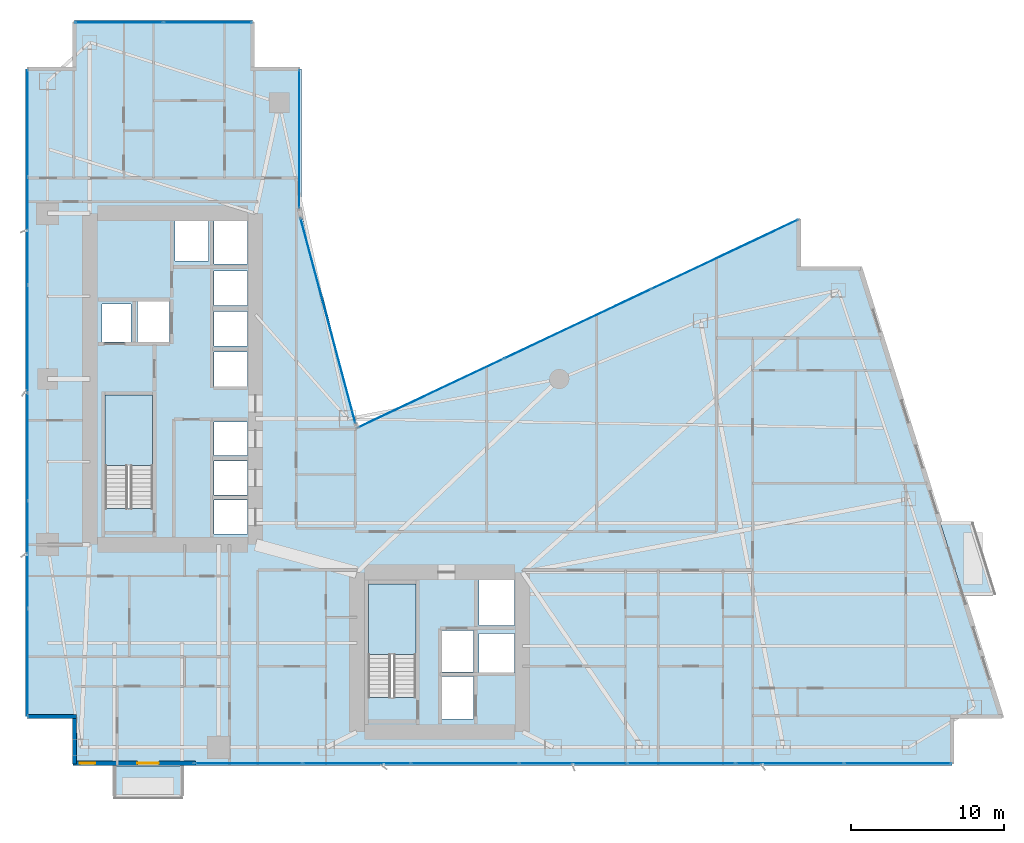
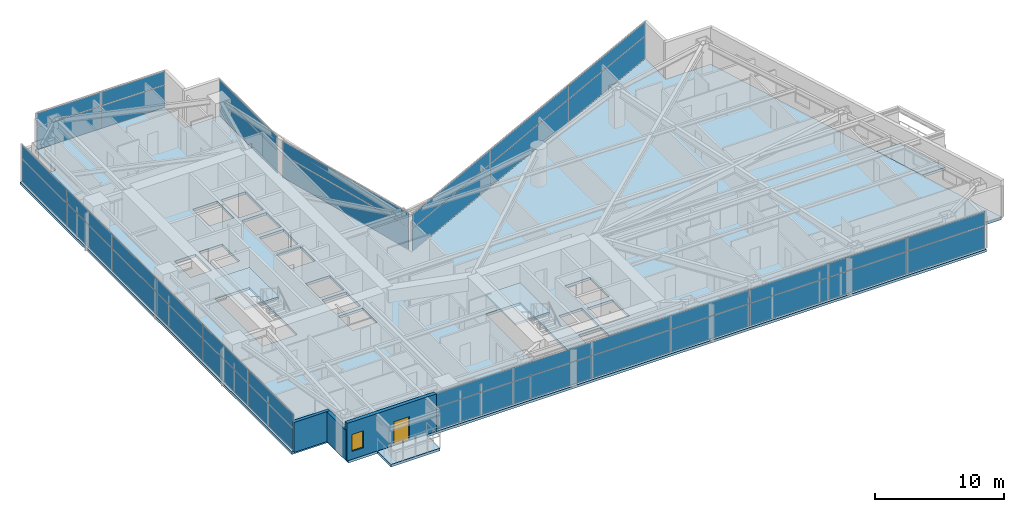
# One storey, part 21 of 29: 40 plates, 5 slabs, 3 walls, 1 door, 1 window, 2 openings, 8 elements without a shape of their own.
"""IFC4 building model written with IfcOpenShell, lengths in metres."""

from ifc_helpers import new_model, si_unit, direction, frame, frame_2d, origin, origin_2d, place, context, subcontext, project, spatial, polyline, rectangle, outline, extrude, material, layer, layer_set, type_object, element, fill, aggregate, save


model = new_model("IFC4")

# Units and contexts
model_context = context("Model", 3, precision=1e-05, world=origin(), true_north=direction((0.0, 1.0)))
body_context = subcontext(model_context, "Body", "Model", "MODEL_VIEW")
ifc_project = project(units=[si_unit("LENGTHUNIT", "METRE"), si_unit("AREAUNIT", "SQUARE_METRE"), si_unit("VOLUMEUNIT", "CUBIC_METRE"), si_unit("PLANEANGLEUNIT", "RADIAN"), si_unit("MASSUNIT", "GRAM", prefix="KILO")], contexts=[model_context])

# Site, building, storey
site_placement = place(None, origin())
site = spatial("IfcSite", under=ifc_project, at=site_placement, CompositionType="ELEMENT")
building_placement = place(site_placement, origin())
building = spatial("IfcBuilding", under=site, at=building_placement, Name="Calvorn Quay Hotel", CompositionType="ELEMENT")
storey_placement = place(building_placement, frame((0.0, 0.0, 34.60009765625)))
storey = spatial("IfcBuildingStorey", under=building, at=storey_placement, Name="L07", CompositionType="ELEMENT", Elevation=34.60009765625)

# Curtain wall, plates
ifc_material_1 = material(Name="Pale Anodised Aluminium and Low-E Glass", Category="aluminium")
ifc_layer_1 = layer(ifc_material_1, 0.219970703125)
ifc_layer_set_1 = layer_set([ifc_layer_1], Name="CW-SYS-Z1")
curtain_wall_type = type_object("IfcCurtainWallType", Name="CW-SYS-Z1", PredefinedType="NOTDEFINED", material=ifc_layer_set_1)
curtain_wall_1_placement = place(storey_placement, origin())
curtain_wall_1 = element("IfcCurtainWall", 1, at=curtain_wall_1_placement, inside=storey, type_object=curtain_wall_type, Name="Tower West Curtain Wall (L07)", PredefinedType="NOTDEFINED")
ifc_material_2 = material(Name="Low-E Laminated Double Glazing", Category="glass")
ifc_layer_2 = layer(ifc_material_2, 0.028076171875)
ifc_layer_set_2 = layer_set([ifc_layer_2], Name="CW-SYS-Z1-PAN")
plate_type = type_object("IfcPlateType", Name="CW-SYS-Z1-PAN", PredefinedType="CURTAIN_PANEL", material=ifc_layer_set_2)
plate_1_placement = place(storey_placement, frame((0.14990234375, 9.131591796875, 0.06005859375), z_axis=(0.0, 0.0, 1.0), x_axis=(0.0, 1.0, 0.0)))
plate_1 = element("IfcPlate", 2, at=plate_1_placement, type_object=plate_type, Name="CW-L07-W panel 1.1", PredefinedType="CURTAIN_PANEL", context=body_context, shape_type="SweptSolid", body=[
    extrude(rectangle(XDim=6.943359375, YDim=0.028076171875, at=origin_2d()), origin(), (0.0, 0.0, 1.0), 2.110107421875),
])
plate_2_placement = place(storey_placement, frame((0.14990234375, 9.131591796875, 2.22998046875), z_axis=(0.0, 0.0, 1.0), x_axis=(0.0, 1.0, 0.0)))
plate_2 = element("IfcPlate", 3, at=plate_2_placement, type_object=plate_type, Name="CW-L07-W panel 1.2", PredefinedType="CURTAIN_PANEL", context=body_context, shape_type="SweptSolid", body=[
    extrude(rectangle(XDim=6.943359375, YDim=0.028076171875, at=origin_2d()), origin(), (0.0, 0.0, 1.0), 1.27001953125),
])
plate_3_placement = place(storey_placement, frame((0.14990234375, 16.14990234375, 0.06005859375), z_axis=(0.0, 0.0, 1.0), x_axis=(0.0, 1.0, 0.0)))
plate_3 = element("IfcPlate", 4, at=plate_3_placement, type_object=plate_type, Name="CW-L07-W panel 2.1", PredefinedType="CURTAIN_PANEL", context=body_context, shape_type="SweptSolid", body=[
    extrude(rectangle(XDim=6.973388671875, YDim=0.028076171875, at=origin_2d()), origin(), (0.0, 0.0, 1.0), 2.110107421875),
])
plate_4_placement = place(storey_placement, frame((0.14990234375, 16.14990234375, 2.22998046875), z_axis=(0.0, 0.0, 1.0), x_axis=(0.0, 1.0, 0.0)))
plate_4 = element("IfcPlate", 5, at=plate_4_placement, type_object=plate_type, Name="CW-L07-W panel 2.2", PredefinedType="CURTAIN_PANEL", context=body_context, shape_type="SweptSolid", body=[
    extrude(rectangle(XDim=6.973388671875, YDim=0.028076171875, at=origin_2d()), origin(), (0.0, 0.0, 1.0), 1.27001953125),
])
plate_5_placement = place(storey_placement, frame((0.14990234375, 23.183349609375, 0.06005859375), z_axis=(0.0, 0.0, 1.0), x_axis=(0.0, 1.0, 0.0)))
plate_5 = element("IfcPlate", 6, at=plate_5_placement, type_object=plate_type, Name="CW-L07-W panel 3.1", PredefinedType="CURTAIN_PANEL", context=body_context, shape_type="SweptSolid", body=[
    extrude(rectangle(XDim=6.973388671875, YDim=0.028076171875, at=origin_2d()), origin(), (0.0, 0.0, 1.0), 2.110107421875),
])
plate_6_placement = place(storey_placement, frame((0.14990234375, 23.183349609375, 2.22998046875), z_axis=(0.0, 0.0, 1.0), x_axis=(0.0, 1.0, 0.0)))
plate_6 = element("IfcPlate", 7, at=plate_6_placement, type_object=plate_type, Name="CW-L07-W panel 3.2", PredefinedType="CURTAIN_PANEL", context=body_context, shape_type="SweptSolid", body=[
    extrude(rectangle(XDim=6.973388671875, YDim=0.028076171875, at=origin_2d()), origin(), (0.0, 0.0, 1.0), 1.27001953125),
])
plate_7_placement = place(storey_placement, frame((0.14990234375, 30.216552734375, 0.06005859375), z_axis=(0.0, 0.0, 1.0), x_axis=(0.0, 1.0, 0.0)))
plate_7 = element("IfcPlate", 8, at=plate_7_placement, type_object=plate_type, Name="CW-L07-W panel 4.1", PredefinedType="CURTAIN_PANEL", context=body_context, shape_type="SweptSolid", body=[
    extrude(rectangle(XDim=6.973388671875, YDim=0.028076171875, at=origin_2d()), origin(), (0.0, 0.0, 1.0), 2.110107421875),
])
plate_8_placement = place(storey_placement, frame((0.14990234375, 30.216552734375, 2.22998046875), z_axis=(0.0, 0.0, 1.0), x_axis=(0.0, 1.0, 0.0)))
plate_8 = element("IfcPlate", 9, at=plate_8_placement, type_object=plate_type, Name="CW-L07-W panel 4.2", PredefinedType="CURTAIN_PANEL", context=body_context, shape_type="SweptSolid", body=[
    extrude(rectangle(XDim=6.973388671875, YDim=0.028076171875, at=origin_2d()), origin(), (0.0, 0.0, 1.0), 1.27001953125),
])
plate_9_placement = place(storey_placement, frame((0.14990234375, 37.25, 0.06005859375), z_axis=(0.0, 0.0, 1.0), x_axis=(0.0, 1.0, 0.0)))
plate_9 = element("IfcPlate", 10, at=plate_9_placement, type_object=plate_type, Name="CW-L07-W panel 5.1", PredefinedType="CURTAIN_PANEL", context=body_context, shape_type="SweptSolid", body=[
    extrude(rectangle(XDim=6.973388671875, YDim=0.028076171875, at=origin_2d()), origin(), (0.0, 0.0, 1.0), 2.110107421875),
])
plate_10_placement = place(storey_placement, frame((0.14990234375, 37.25, 2.22998046875), z_axis=(0.0, 0.0, 1.0), x_axis=(0.0, 1.0, 0.0)))
plate_10 = element("IfcPlate", 11, at=plate_10_placement, type_object=plate_type, Name="CW-L07-W panel 5.2", PredefinedType="CURTAIN_PANEL", context=body_context, shape_type="SweptSolid", body=[
    extrude(rectangle(XDim=6.973388671875, YDim=0.028076171875, at=origin_2d()), origin(), (0.0, 0.0, 1.0), 1.27001953125),
])
plate_11_placement = place(storey_placement, frame((0.14990234375, 44.268310546875, 0.06005859375), z_axis=(0.0, 0.0, 1.0), x_axis=(0.0, 1.0, 0.0)))
plate_11 = element("IfcPlate", 12, at=plate_11_placement, type_object=plate_type, Name="CW-L07-W panel 6.1", PredefinedType="CURTAIN_PANEL", context=body_context, shape_type="SweptSolid", body=[
    extrude(rectangle(XDim=6.943359375, YDim=0.028076171875, at=origin_2d()), origin(), (0.0, 0.0, 1.0), 2.110107421875),
])
plate_12_placement = place(storey_placement, frame((0.14990234375, 44.268310546875, 2.22998046875), z_axis=(0.0, 0.0, 1.0), x_axis=(0.0, 1.0, 0.0)))
plate_12 = element("IfcPlate", 13, at=plate_12_placement, type_object=plate_type, Name="CW-L07-W panel 6.2", PredefinedType="CURTAIN_PANEL", context=body_context, shape_type="SweptSolid", body=[
    extrude(rectangle(XDim=6.943359375, YDim=0.028076171875, at=origin_2d()), origin(), (0.0, 0.0, 1.0), 1.27001953125),
])
aggregate(curtain_wall_1, [plate_1, plate_2, plate_3, plate_4, plate_5, plate_6, plate_7, plate_8, plate_9, plate_10, plate_11, plate_12])

curtain_wall_2_placement = place(storey_placement, origin())
curtain_wall_2 = element("IfcCurtainWall", 14, at=curtain_wall_2_placement, inside=storey, type_object=curtain_wall_type, Name="Tower South Waterfront Curtain Wall (L07)", PredefinedType="NOTDEFINED")
plate_13_placement = place(storey_placement, frame((14.54345703125, 2.550048828125, 0.06005859375), z_axis=(0.0, 0.0, 1.0), x_axis=(1.0, 0.0, 0.0)))
plate_13 = element("IfcPlate", 15, at=plate_13_placement, type_object=plate_type, Name="CW-L07-S panel 1.1", PredefinedType="CURTAIN_PANEL", context=body_context, shape_type="SweptSolid", body=[
    extrude(rectangle(XDim=6.967041015625, YDim=0.028076171875, at=origin_2d()), origin(), (0.0, 0.0, 1.0), 2.110107421875),
])
plate_14_placement = place(storey_placement, frame((14.54345703125, 2.550048828125, 2.22998046875), z_axis=(0.0, 0.0, 1.0), x_axis=(1.0, 0.0, 0.0)))
plate_14 = element("IfcPlate", 16, at=plate_14_placement, type_object=plate_type, Name="CW-L07-S panel 1.2", PredefinedType="CURTAIN_PANEL", context=body_context, shape_type="SweptSolid", body=[
    extrude(rectangle(XDim=6.967041015625, YDim=0.028076171875, at=origin_2d()), origin(), (0.0, 0.0, 1.0), 1.27001953125),
])
plate_15_placement = place(storey_placement, frame((21.585693359375, 2.550048828125, 0.06005859375), z_axis=(0.0, 0.0, 1.0), x_axis=(1.0, 0.0, 0.0)))
plate_15 = element("IfcPlate", 17, at=plate_15_placement, type_object=plate_type, Name="CW-L07-S panel 2.1", PredefinedType="CURTAIN_PANEL", context=body_context, shape_type="SweptSolid", body=[
    extrude(rectangle(XDim=6.9970703125, YDim=0.028076171875, at=origin_2d()), origin(), (0.0, 0.0, 1.0), 2.110107421875),
])
plate_16_placement = place(storey_placement, frame((21.585693359375, 2.550048828125, 2.22998046875), z_axis=(0.0, 0.0, 1.0), x_axis=(1.0, 0.0, 0.0)))
plate_16 = element("IfcPlate", 18, at=plate_16_placement, type_object=plate_type, Name="CW-L07-S panel 2.2", PredefinedType="CURTAIN_PANEL", context=body_context, shape_type="SweptSolid", body=[
    extrude(rectangle(XDim=6.9970703125, YDim=0.028076171875, at=origin_2d()), origin(), (0.0, 0.0, 1.0), 1.27001953125),
])
plate_17_placement = place(storey_placement, frame((28.642822265625, 2.550048828125, 0.06005859375), z_axis=(0.0, 0.0, 1.0), x_axis=(1.0, 0.0, 0.0)))
plate_17 = element("IfcPlate", 19, at=plate_17_placement, type_object=plate_type, Name="CW-L07-S panel 3.1", PredefinedType="CURTAIN_PANEL", context=body_context, shape_type="SweptSolid", body=[
    extrude(rectangle(XDim=6.9970703125, YDim=0.028076171875, at=origin_2d()), origin(), (0.0, 0.0, 1.0), 2.110107421875),
])
plate_18_placement = place(storey_placement, frame((28.642822265625, 2.550048828125, 2.22998046875), z_axis=(0.0, 0.0, 1.0), x_axis=(1.0, 0.0, 0.0)))
plate_18 = element("IfcPlate", 20, at=plate_18_placement, type_object=plate_type, Name="CW-L07-S panel 3.2", PredefinedType="CURTAIN_PANEL", context=body_context, shape_type="SweptSolid", body=[
    extrude(rectangle(XDim=6.9970703125, YDim=0.028076171875, at=origin_2d()), origin(), (0.0, 0.0, 1.0), 1.27001953125),
])
plate_19_placement = place(storey_placement, frame((35.699951171875, 2.550048828125, 0.06005859375), z_axis=(0.0, 0.0, 1.0), x_axis=(1.0, 0.0, 0.0)))
plate_19 = element("IfcPlate", 21, at=plate_19_placement, type_object=plate_type, Name="CW-L07-S panel 4.1", PredefinedType="CURTAIN_PANEL", context=body_context, shape_type="SweptSolid", body=[
    extrude(rectangle(XDim=6.9970703125, YDim=0.028076171875, at=origin_2d()), origin(), (0.0, 0.0, 1.0), 2.110107421875),
])
plate_20_placement = place(storey_placement, frame((35.699951171875, 2.550048828125, 2.22998046875), z_axis=(0.0, 0.0, 1.0), x_axis=(1.0, 0.0, 0.0)))
plate_20 = element("IfcPlate", 22, at=plate_20_placement, type_object=plate_type, Name="CW-L07-S panel 4.2", PredefinedType="CURTAIN_PANEL", context=body_context, shape_type="SweptSolid", body=[
    extrude(rectangle(XDim=6.9970703125, YDim=0.028076171875, at=origin_2d()), origin(), (0.0, 0.0, 1.0), 1.27001953125),
])
plate_21_placement = place(storey_placement, frame((42.757080078125, 2.550048828125, 0.06005859375), z_axis=(0.0, 0.0, 1.0), x_axis=(1.0, 0.0, 0.0)))
plate_21 = element("IfcPlate", 23, at=plate_21_placement, type_object=plate_type, Name="CW-L07-S panel 5.1", PredefinedType="CURTAIN_PANEL", context=body_context, shape_type="SweptSolid", body=[
    extrude(rectangle(XDim=6.9970703125, YDim=0.028076171875, at=origin_2d()), origin(), (0.0, 0.0, 1.0), 2.110107421875),
])
plate_22_placement = place(storey_placement, frame((42.757080078125, 2.550048828125, 2.22998046875), z_axis=(0.0, 0.0, 1.0), x_axis=(1.0, 0.0, 0.0)))
plate_22 = element("IfcPlate", 24, at=plate_22_placement, type_object=plate_type, Name="CW-L07-S panel 5.2", PredefinedType="CURTAIN_PANEL", context=body_context, shape_type="SweptSolid", body=[
    extrude(rectangle(XDim=6.9970703125, YDim=0.028076171875, at=origin_2d()), origin(), (0.0, 0.0, 1.0), 1.27001953125),
])
plate_23_placement = place(storey_placement, frame((49.814208984375, 2.550048828125, 0.06005859375), z_axis=(0.0, 0.0, 1.0), x_axis=(1.0, 0.0, 0.0)))
plate_23 = element("IfcPlate", 25, at=plate_23_placement, type_object=plate_type, Name="CW-L07-S panel 6.1", PredefinedType="CURTAIN_PANEL", context=body_context, shape_type="SweptSolid", body=[
    extrude(rectangle(XDim=6.9970703125, YDim=0.028076171875, at=origin_2d()), origin(), (0.0, 0.0, 1.0), 2.110107421875),
])
plate_24_placement = place(storey_placement, frame((49.814208984375, 2.550048828125, 2.22998046875), z_axis=(0.0, 0.0, 1.0), x_axis=(1.0, 0.0, 0.0)))
plate_24 = element("IfcPlate", 26, at=plate_24_placement, type_object=plate_type, Name="CW-L07-S panel 6.2", PredefinedType="CURTAIN_PANEL", context=body_context, shape_type="SweptSolid", body=[
    extrude(rectangle(XDim=6.9970703125, YDim=0.028076171875, at=origin_2d()), origin(), (0.0, 0.0, 1.0), 1.27001953125),
])
plate_25_placement = place(storey_placement, frame((56.8564453125, 2.550048828125, 0.06005859375), z_axis=(0.0, 0.0, 1.0), x_axis=(1.0, 0.0, 0.0)))
plate_25 = element("IfcPlate", 27, at=plate_25_placement, type_object=plate_type, Name="CW-L07-S panel 7.1", PredefinedType="CURTAIN_PANEL", context=body_context, shape_type="SweptSolid", body=[
    extrude(rectangle(XDim=6.967041015625, YDim=0.028076171875, at=origin_2d()), origin(), (0.0, 0.0, 1.0), 2.110107421875),
])
plate_26_placement = place(storey_placement, frame((56.8564453125, 2.550048828125, 2.22998046875), z_axis=(0.0, 0.0, 1.0), x_axis=(1.0, 0.0, 0.0)))
plate_26 = element("IfcPlate", 28, at=plate_26_placement, type_object=plate_type, Name="CW-L07-S panel 7.2", PredefinedType="CURTAIN_PANEL", context=body_context, shape_type="SweptSolid", body=[
    extrude(rectangle(XDim=6.967041015625, YDim=0.028076171875, at=origin_2d()), origin(), (0.0, 0.0, 1.0), 1.27001953125),
])
aggregate(curtain_wall_2, [plate_13, plate_14, plate_15, plate_16, plate_17, plate_18, plate_19, plate_20, plate_21, plate_22, plate_23, plate_24, plate_25, plate_26])

curtain_wall_3_placement = place(storey_placement, origin())
curtain_wall_3 = element("IfcCurtainWall", 29, at=curtain_wall_3_placement, inside=storey, type_object=curtain_wall_type, Name="Inner Court Curtain Wall L07-NE1", PredefinedType="NOTDEFINED")
plate_27_placement = place(storey_placement, frame((45.58642578125, 35.726806640625, 0.06005859375), z_axis=(0.0, 0.0, 1.0), x_axis=(-0.904248646743, -0.427006305415, 0.0)))
plate_27 = element("IfcPlate", 30, at=plate_27_placement, type_object=plate_type, Name="CW-L07-NE1 panel 1.1", PredefinedType="CURTAIN_PANEL", context=body_context, shape_type="SweptSolid", body=[
    extrude(rectangle(XDim=10.526611328125, YDim=0.028076171875, at=origin_2d()), origin(), (0.0, 0.0, 1.0), 2.110107421875),
])
plate_28_placement = place(storey_placement, frame((45.58642578125, 35.726806640625, 2.22998046875), z_axis=(0.0, 0.0, 1.0), x_axis=(-0.904248646743, -0.427006305415, 0.0)))
plate_28 = element("IfcPlate", 31, at=plate_28_placement, type_object=plate_type, Name="CW-L07-NE1 panel 1.2", PredefinedType="CURTAIN_PANEL", context=body_context, shape_type="SweptSolid", body=[
    extrude(rectangle(XDim=10.526611328125, YDim=0.028076171875, at=origin_2d()), origin(), (0.0, 0.0, 1.0), 1.27001953125),
])
plate_29_placement = place(storey_placement, frame((36.0, 31.199951171875, 0.06005859375), z_axis=(0.0, 0.0, 1.0), x_axis=(-0.904248646743, -0.427006305415, 0.0)))
plate_29 = element("IfcPlate", 32, at=plate_29_placement, type_object=plate_type, Name="CW-L07-NE1 panel 2.1", PredefinedType="CURTAIN_PANEL", context=body_context, shape_type="SweptSolid", body=[
    extrude(rectangle(XDim=10.556640625, YDim=0.028076171875, at=origin_2d()), origin(), (0.0, 0.0, 1.0), 2.110107421875),
])
plate_30_placement = place(storey_placement, frame((36.0, 31.199951171875, 2.22998046875), z_axis=(0.0, 0.0, 1.0), x_axis=(-0.904248646743, -0.427006305415, 0.0)))
plate_30 = element("IfcPlate", 33, at=plate_30_placement, type_object=plate_type, Name="CW-L07-NE1 panel 2.2", PredefinedType="CURTAIN_PANEL", context=body_context, shape_type="SweptSolid", body=[
    extrude(rectangle(XDim=10.556640625, YDim=0.028076171875, at=origin_2d()), origin(), (0.0, 0.0, 1.0), 1.27001953125),
])
plate_31_placement = place(storey_placement, frame((26.41357421875, 26.673095703125, 0.06005859375), z_axis=(0.0, 0.0, 1.0), x_axis=(-0.904248646743, -0.427006305415, 0.0)))
plate_31 = element("IfcPlate", 34, at=plate_31_placement, type_object=plate_type, Name="CW-L07-NE1 panel 3.1", PredefinedType="CURTAIN_PANEL", context=body_context, shape_type="SweptSolid", body=[
    extrude(rectangle(XDim=10.526611328125, YDim=0.028076171875, at=origin_2d()), origin(), (0.0, 0.0, 1.0), 2.110107421875),
])
plate_32_placement = place(storey_placement, frame((26.41357421875, 26.673095703125, 2.22998046875), z_axis=(0.0, 0.0, 1.0), x_axis=(-0.904248646743, -0.427006305415, 0.0)))
plate_32 = element("IfcPlate", 35, at=plate_32_placement, type_object=plate_type, Name="CW-L07-NE1 panel 3.2", PredefinedType="CURTAIN_PANEL", context=body_context, shape_type="SweptSolid", body=[
    extrude(rectangle(XDim=10.526611328125, YDim=0.028076171875, at=origin_2d()), origin(), (0.0, 0.0, 1.0), 1.27001953125),
])
aggregate(curtain_wall_3, [plate_27, plate_28, plate_29, plate_30, plate_31, plate_32])

curtain_wall_4_placement = place(storey_placement, origin())
curtain_wall_4 = element("IfcCurtainWall", 36, at=curtain_wall_4_placement, inside=storey, type_object=curtain_wall_type, Name="Inner Court Curtain Wall L07-IC1", PredefinedType="NOTDEFINED")
plate_33_placement = place(storey_placement, frame((19.72509765625, 31.39990234375, 0.06005859375), z_axis=(0.0, 0.0, 1.0), x_axis=(-0.25877913024, 0.96593652056, 0.0)))
plate_33 = element("IfcPlate", 37, at=plate_33_placement, type_object=plate_type, Name="CW-L07-IC1 panel 1.1", PredefinedType="CURTAIN_PANEL", context=body_context, shape_type="SweptSolid", body=[
    extrude(rectangle(XDim=13.814697265625, YDim=0.028076171875, at=origin_2d()), origin(), (0.0, 0.0, 1.0), 2.110107421875),
])
plate_34_placement = place(storey_placement, frame((19.72509765625, 31.39990234375, 2.22998046875), z_axis=(0.0, 0.0, 1.0), x_axis=(-0.25877913024, 0.96593652056, 0.0)))
plate_34 = element("IfcPlate", 38, at=plate_34_placement, type_object=plate_type, Name="CW-L07-IC1 panel 1.2", PredefinedType="CURTAIN_PANEL", context=body_context, shape_type="SweptSolid", body=[
    extrude(rectangle(XDim=13.814697265625, YDim=0.028076171875, at=origin_2d()), origin(), (0.0, 0.0, 1.0), 1.27001953125),
])
aggregate(curtain_wall_4, [plate_33, plate_34])

curtain_wall_5_placement = place(storey_placement, origin())
curtain_wall_5 = element("IfcCurtainWall", 39, at=curtain_wall_5_placement, inside=storey, type_object=curtain_wall_type, Name="Inner Court Curtain Wall L07-IC2", PredefinedType="NOTDEFINED")
plate_35_placement = place(storey_placement, frame((17.85009765625, 43.239990234375, 0.06005859375), z_axis=(0.0, 0.0, 1.0), x_axis=(0.0, 1.0, 0.0)))
plate_35 = element("IfcPlate", 40, at=plate_35_placement, type_object=plate_type, Name="CW-L07-IC2 panel 1.1", PredefinedType="CURTAIN_PANEL", context=body_context, shape_type="SweptSolid", body=[
    extrude(rectangle(XDim=9.0, YDim=0.028076171875, at=origin_2d()), origin(), (0.0, 0.0, 1.0), 2.110107421875),
])
plate_36_placement = place(storey_placement, frame((17.85009765625, 43.239990234375, 2.22998046875), z_axis=(0.0, 0.0, 1.0), x_axis=(0.0, 1.0, 0.0)))
plate_36 = element("IfcPlate", 41, at=plate_36_placement, type_object=plate_type, Name="CW-L07-IC2 panel 1.2", PredefinedType="CURTAIN_PANEL", context=body_context, shape_type="SweptSolid", body=[
    extrude(rectangle(XDim=9.0, YDim=0.028076171875, at=origin_2d()), origin(), (0.0, 0.0, 1.0), 1.27001953125),
])
aggregate(curtain_wall_5, [plate_35, plate_36])

curtain_wall_6_placement = place(storey_placement, origin())
curtain_wall_6 = element("IfcCurtainWall", 42, at=curtain_wall_6_placement, inside=storey, type_object=curtain_wall_type, Name="Inner Court Curtain Wall L07-N1", PredefinedType="NOTDEFINED")
plate_37_placement = place(storey_placement, frame((11.885009765625, 50.85009765625, 0.06005859375), z_axis=(0.0, 0.0, 1.0), x_axis=(-1.0, 0.0, 0.0)))
plate_37 = element("IfcPlate", 43, at=plate_37_placement, type_object=plate_type, Name="CW-L07-N1 panel 1.1", PredefinedType="CURTAIN_PANEL", context=body_context, shape_type="SweptSolid", body=[
    extrude(rectangle(XDim=5.7099609375, YDim=0.028076171875, at=origin_2d()), origin(), (0.0, 0.0, 1.0), 2.110107421875),
])
plate_38_placement = place(storey_placement, frame((11.885009765625, 50.85009765625, 2.22998046875), z_axis=(0.0, 0.0, 1.0), x_axis=(-1.0, 0.0, 0.0)))
plate_38 = element("IfcPlate", 44, at=plate_38_placement, type_object=plate_type, Name="CW-L07-N1 panel 1.2", PredefinedType="CURTAIN_PANEL", context=body_context, shape_type="SweptSolid", body=[
    extrude(rectangle(XDim=5.7099609375, YDim=0.028076171875, at=origin_2d()), origin(), (0.0, 0.0, 1.0), 1.27001953125),
])
plate_39_placement = place(storey_placement, frame((6.114990234375, 50.85009765625, 0.06005859375), z_axis=(0.0, 0.0, 1.0), x_axis=(-1.0, 0.0, 0.0)))
plate_39 = element("IfcPlate", 45, at=plate_39_placement, type_object=plate_type, Name="CW-L07-N1 panel 2.1", PredefinedType="CURTAIN_PANEL", context=body_context, shape_type="SweptSolid", body=[
    extrude(rectangle(XDim=5.7099609375, YDim=0.028076171875, at=origin_2d()), origin(), (0.0, 0.0, 1.0), 2.110107421875),
])
plate_40_placement = place(storey_placement, frame((6.114990234375, 50.85009765625, 2.22998046875), z_axis=(0.0, 0.0, 1.0), x_axis=(-1.0, 0.0, 0.0)))
plate_40 = element("IfcPlate", 46, at=plate_40_placement, type_object=plate_type, Name="CW-L07-N1 panel 2.2", PredefinedType="CURTAIN_PANEL", context=body_context, shape_type="SweptSolid", body=[
    extrude(rectangle(XDim=5.7099609375, YDim=0.028076171875, at=origin_2d()), origin(), (0.0, 0.0, 1.0), 1.27001953125),
])
aggregate(curtain_wall_6, [plate_37, plate_38, plate_39, plate_40])

# Slabs
ifc_material_3 = material(Name="Concrete C40", Category="concrete")
ifc_layer_3 = layer(ifc_material_3, 0.239990234375)
ifc_layer_set_3 = layer_set([ifc_layer_3], Name="SLB-BALCONY-220")
slab_type_1 = type_object("IfcSlabType", Name="SLB-BALCONY-220", PredefinedType="FLOOR", material=ifc_layer_set_3)
slab_1_placement = place(storey_placement, frame((0.0, 0.0, -0.239990234375)))
element("IfcSlab", 47, at=slab_1_placement, inside=storey, type_object=slab_type_1, Name="Tree Balcony Slab L07-BALC-E", PredefinedType="FLOOR", context=body_context, shape_type="SweptSolid", body=[
    extrude(outline(polyline([(61.089111328125, 13.60009765625), (63.18896484375, 13.60009765625), (61.739990234375, 18.199951171875), (59.639892578125, 18.199951171875), (61.089111328125, 13.60009765625)])), origin(), (0.0, 0.0, 1.0), 0.239990234375),
])
slab_2_placement = place(storey_placement, frame((0.0, 0.0, -0.239990234375)))
element("IfcSlab", 48, at=slab_2_placement, inside=storey, type_object=slab_type_1, Name="Tree Balcony Slab L07-BALC-S", PredefinedType="FLOOR", context=body_context, shape_type="SweptSolid", body=[
    extrude(outline(polyline([(5.800048828125, 0.2900390625), (10.199951171875, 0.2900390625), (10.199951171875, 2.389892578125), (5.800048828125, 2.389892578125), (5.800048828125, 0.2900390625)])), origin(), (0.0, 0.0, 1.0), 0.239990234375),
])

# Stair, slab
ifc_material_4 = material(Name="Concrete C40", Category="concrete")
stair_type = type_object("IfcStairType", Name="STR-CORE-DOGLEG", PredefinedType="HALF_TURN_STAIR", material=ifc_material_4)
stair_1_placement = place(storey_placement, origin())
stair_1 = element("IfcStair", 49, at=stair_1_placement, inside=storey, type_object=stair_type, Name="L07 ST-W", PredefinedType="HALF_TURN_STAIR")
ifc_material_5 = material(Name="Concrete C40", Category="concrete")
ifc_layer_4 = layer(ifc_material_5, 0.199951171875)
ifc_layer_set_4 = layer_set([ifc_layer_4], Name="SLB-STAIR-LANDING-200")
slab_type_2 = type_object("IfcSlabType", Name="SLB-STAIR-LANDING-200", PredefinedType="LANDING", material=ifc_layer_set_4)
slab_3_placement = place(storey_placement, frame((0.0, 0.0, 1.699951171875)))
slab_3 = element("IfcSlab", 50, at=slab_3_placement, type_object=slab_type_2, Name="ST-W landing 1", PredefinedType="LANDING", context=body_context, shape_type="SweptSolid", body=[
    extrude(outline(polyline([(8.300048828125, 21.949951171875), (8.300048828125, 26.550048828125), (5.199951171875, 26.550048828125), (5.199951171875, 21.949951171875), (8.300048828125, 21.949951171875)])), origin(), (0.0, 0.0, 1.0), 0.199951171875),
])
aggregate(stair_1, [slab_3])

stair_2_placement = place(storey_placement, origin())
stair_2 = element("IfcStair", 51, at=stair_2_placement, inside=storey, type_object=stair_type, Name="L07 ST-E", PredefinedType="HALF_TURN_STAIR")
slab_4_placement = place(storey_placement, frame((0.0, 0.0, 1.699951171875)))
slab_4 = element("IfcSlab", 52, at=slab_4_placement, type_object=slab_type_2, Name="ST-E landing 1", PredefinedType="LANDING", context=body_context, shape_type="SweptSolid", body=[
    extrude(outline(polyline([(25.449951171875, 9.64990234375), (25.449951171875, 14.25), (22.35009765625, 14.25), (22.35009765625, 9.64990234375), (25.449951171875, 9.64990234375)])), origin(), (0.0, 0.0, 1.0), 0.199951171875),
])
aggregate(stair_2, [slab_4])

# Slab
ifc_material_6 = material(Name="Concrete C40", Category="concrete")
ifc_layer_5 = layer(ifc_material_6, 0.239990234375)
ifc_layer_set_5 = layer_set([ifc_layer_5], Name="SLB-TOWER-240")
slab_type_3 = type_object("IfcSlabType", Name="SLB-TOWER-240", PredefinedType="FLOOR", material=ifc_layer_set_5)
slab_5_placement = place(storey_placement, frame((0.0, 0.0, -0.239990234375)))
element("IfcSlab", 53, at=slab_5_placement, inside=storey, type_object=slab_type_3, Name="L07 Structural Floor Slab", PredefinedType="FLOOR", context=body_context, shape_type="SweptSolid", body=[
    extrude(outline(polyline([(0.0, 5.60009765625), (3.199951171875, 5.60009765625), (3.199951171875, 2.39990234375), (60.39990234375, 2.39990234375), (60.39990234375, 5.60009765625), (63.60009765625, 5.60009765625), (54.39990234375, 34.800048828125), (50.39990234375, 34.800048828125), (50.39990234375, 38.0), (21.60009765625, 24.39990234375), (18.0, 38.39990234375), (18.0, 47.800048828125), (14.800048828125, 47.800048828125), (14.800048828125, 51.0), (3.199951171875, 51.0), (3.199951171875, 47.800048828125), (0.0, 47.800048828125), (0.0, 5.60009765625)]), holes=[polyline([(5.199951171875, 19.156005859375), (8.300048828125, 19.156005859375), (8.300048828125, 26.550048828125), (5.199951171875, 26.550048828125), (5.199951171875, 19.156005859375)]), polyline([(22.35009765625, 6.85595703125), (25.449951171875, 6.85595703125), (25.449951171875, 14.25), (22.35009765625, 14.25), (22.35009765625, 6.85595703125)]), polyline([(5.0, 30.0), (6.89990234375, 30.0), (6.89990234375, 32.5), (5.0, 32.5), (5.0, 30.0)]), polyline([(7.300048828125, 30.0), (9.39990234375, 30.0), (9.39990234375, 32.64990234375), (7.300048828125, 32.64990234375), (7.300048828125, 30.0)]), polyline([(27.159912109375, 8.5), (29.2099609375, 8.5), (29.2099609375, 11.199951171875), (27.159912109375, 11.199951171875), (27.159912109375, 8.5)]), polyline([(27.159912109375, 5.449951171875), (29.2099609375, 5.449951171875), (29.2099609375, 8.199951171875), (27.159912109375, 8.199951171875), (27.159912109375, 5.449951171875)]), polyline([(12.300048828125, 17.5), (14.489990234375, 17.5), (14.489990234375, 19.699951171875), (12.300048828125, 19.699951171875), (12.300048828125, 17.5)]), polyline([(12.300048828125, 20.050048828125), (14.489990234375, 20.050048828125), (14.489990234375, 22.25), (12.300048828125, 22.25), (12.300048828125, 20.050048828125)]), polyline([(12.300048828125, 22.60009765625), (14.489990234375, 22.60009765625), (14.489990234375, 24.800048828125), (12.300048828125, 24.800048828125), (12.300048828125, 22.60009765625)]), polyline([(12.300048828125, 27.10009765625), (14.489990234375, 27.10009765625), (14.489990234375, 29.35009765625), (12.300048828125, 29.35009765625), (12.300048828125, 27.10009765625)]), polyline([(12.300048828125, 29.75), (14.489990234375, 29.75), (14.489990234375, 32.0), (12.300048828125, 32.0), (12.300048828125, 29.75)]), polyline([(12.300048828125, 32.39990234375), (14.489990234375, 32.39990234375), (14.489990234375, 34.64990234375), (12.300048828125, 34.64990234375), (12.300048828125, 32.39990234375)]), polyline([(12.300048828125, 35.10009765625), (14.489990234375, 35.10009765625), (14.489990234375, 37.889892578125), (12.300048828125, 37.889892578125), (12.300048828125, 35.10009765625)]), polyline([(9.75, 35.300048828125), (11.949951171875, 35.300048828125), (11.949951171875, 37.889892578125), (9.75, 37.889892578125), (9.75, 35.300048828125)]), polyline([(29.550048828125, 11.550048828125), (31.889892578125, 11.550048828125), (31.889892578125, 14.489990234375), (29.550048828125, 14.489990234375), (29.550048828125, 11.550048828125)]), polyline([(29.550048828125, 8.449951171875), (31.889892578125, 8.449951171875), (31.889892578125, 11.0), (29.550048828125, 11.0), (29.550048828125, 8.449951171875)])]), origin(), (0.0, 0.0, 1.0), 0.239990234375),
])

# Wall, openings, door, window
ifc_material_7 = material(Name="Concrete C40", Category="concrete")
ifc_layer_6 = layer(ifc_material_7, 0.320068359375)
ifc_layer_set_6 = layer_set([ifc_layer_6], Name="WL-EXT-SPANDREL-320")
wall_type = type_object("IfcWallType", Name="WL-EXT-SPANDREL-320", PredefinedType="SOLIDWALL", material=ifc_layer_set_6)
wall_1_placement = place(storey_placement, frame((3.10009765625, 2.56005859375, 0.0), z_axis=(0.0, 0.0, 1.0), x_axis=(1.0, 0.0, 0.0)))
wall_1 = element("IfcWall", 54, at=wall_1_placement, inside=storey, type_object=wall_type, Name="South Balcony Exterior Wall (L07)", PredefinedType="SOLIDWALL", context=body_context, shape_type="SweptSolid", body=[
    extrude(rectangle(XDim=8.0, YDim=0.320068359375, at=frame_2d((4.0, 0.0))), origin(), (0.0, 0.0, 1.0), 3.559814453125),
])
opening_1_placement = place(wall_1_placement, frame((0.449951171875, 0.0, 0.75)))
opening_1 = element("IfcOpeningElement", 55, at=opening_1_placement, cuts=wall_1, Name="Opening WSB-L07-1", PredefinedType="OPENING", context=body_context, shape_type="SweptSolid", body=[
    extrude(rectangle(XDim=1.0, YDim=1.60009765625, at=frame_2d((0.5, 0.800048828125))), frame((0.0, 0.169921875, 0.0), z_axis=(0.0, -1.0, 0.0), x_axis=(1.0, 0.0, 0.0)), (0.0, 0.0, 1.0), 0.340087890625),
])
opening_2_placement = place(wall_1_placement, frame((4.199951171875, 0.0, 0.0)))
opening_2 = element("IfcOpeningElement", 56, at=opening_2_placement, cuts=wall_1, Name="Opening DB-L07-2", PredefinedType="OPENING", context=body_context, shape_type="SweptSolid", body=[
    extrude(rectangle(XDim=1.39990234375, YDim=2.25, at=frame_2d((0.699951171875, 1.125))), frame((0.0, 0.169921875, 0.0), z_axis=(0.0, -1.0, 0.0), x_axis=(1.0, 0.0, 0.0)), (0.0, 0.0, 1.0), 0.340087890625),
])
ifc_material_8 = material(Name="Typhoon-Rated Low-E Aluminium Terrace Door", Category="aluminium")
door_type = type_object("IfcDoorType", Name="DR-BALCONY-GLZ-1400", OperationType="NOTDEFINED", PredefinedType="DOOR", material=ifc_material_8)
door_placement = place(opening_2_placement, origin())
door = element("IfcDoor", 57, at=door_placement, inside=storey, type_object=door_type, Name="Tree Balcony Terrace Door L07-BALC-S", OperationType="SINGLE_SWING_LEFT", OverallHeight=2.25, OverallWidth=1.39990234375, PredefinedType="DOOR", context=body_context, shape_type="SweptSolid", body=[
    extrude(rectangle(XDim=1.39990234375, YDim=2.25, at=frame_2d((0.699951171875, 1.125))), frame((0.0, 0.02490234375, 0.0), z_axis=(0.0, -1.0, 0.0), x_axis=(1.0, 0.0, 0.0)), (0.0, 0.0, 1.0), 0.050048828125),
])
fill(opening_2, door)
ifc_material_9 = material(Name="Self-Closing Class B Side Fire Window")
window_type = type_object("IfcWindowType", Name="WIN-REFUGE-NARROW-1000x1600", PartitioningType="SINGLE_PANEL", PredefinedType="WINDOW", material=ifc_material_9)
window_placement = place(opening_1_placement, origin())
window = element("IfcWindow", 58, at=window_placement, inside=storey, type_object=window_type, Name="South Waterfront Side Window (L07)", OverallHeight=1.60009765625, OverallWidth=1.0, PartitioningType="SINGLE_PANEL", PredefinedType="WINDOW", context=body_context, shape_type="SweptSolid", body=[
    extrude(rectangle(XDim=1.0, YDim=1.60009765625, at=frame_2d((0.5, 0.800048828125))), frame((0.0, 0.030029296875, 0.0), z_axis=(0.0, -1.0, 0.0), x_axis=(1.0, 0.0, 0.0)), (0.0, 0.0, 1.0), 0.06005859375),
])
fill(opening_1, window)

# Walls
wall_2_placement = place(storey_placement, frame((0.1201171875, 5.60009765625, 0.0), z_axis=(0.0, 0.0, 1.0), x_axis=(1.0, 0.0, 0.0)))
element("IfcWall", 59, at=wall_2_placement, inside=storey, type_object=wall_type, Name="Notched Corner Spandrel L07-SW1", PredefinedType="SOLIDWALL", context=body_context, shape_type="SweptSolid", body=[
    extrude(rectangle(XDim=3.219970703125, YDim=0.280029296875, at=frame_2d((1.60986328125, 0.0))), origin(), (0.0, 0.0, 1.0), 2.83984375),
])
wall_3_placement = place(storey_placement, frame((3.199951171875, 5.4599609375, 0.0), z_axis=(0.0, 0.0, 1.0), x_axis=(0.0, -1.0, 0.0)))
element("IfcWall", 60, at=wall_3_placement, inside=storey, type_object=wall_type, Name="Notched Corner Spandrel L07-SW2", PredefinedType="SOLIDWALL", context=body_context, shape_type="SweptSolid", body=[
    extrude(rectangle(XDim=2.93994140625, YDim=0.280029296875, at=frame_2d((1.469970703125, 0.0))), origin(), (0.0, 0.0, 1.0), 2.83984375),
])

save(model, "model.ifc")
